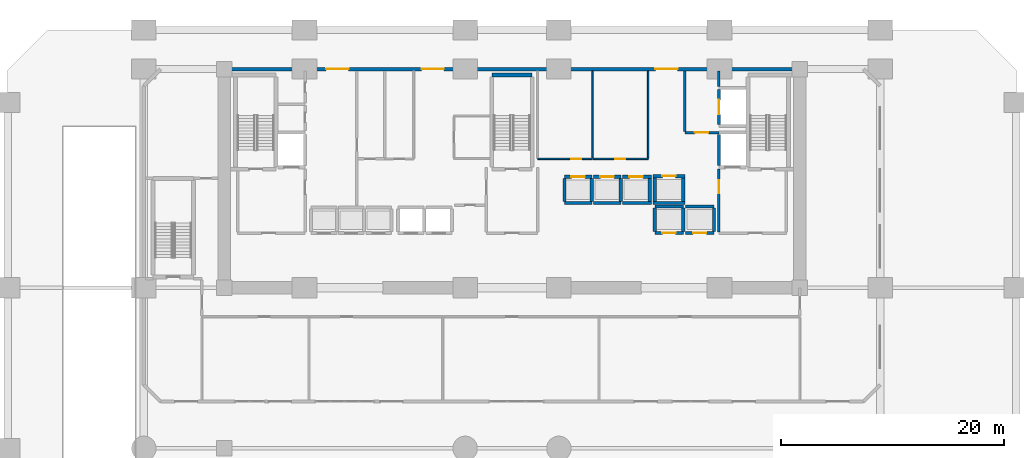
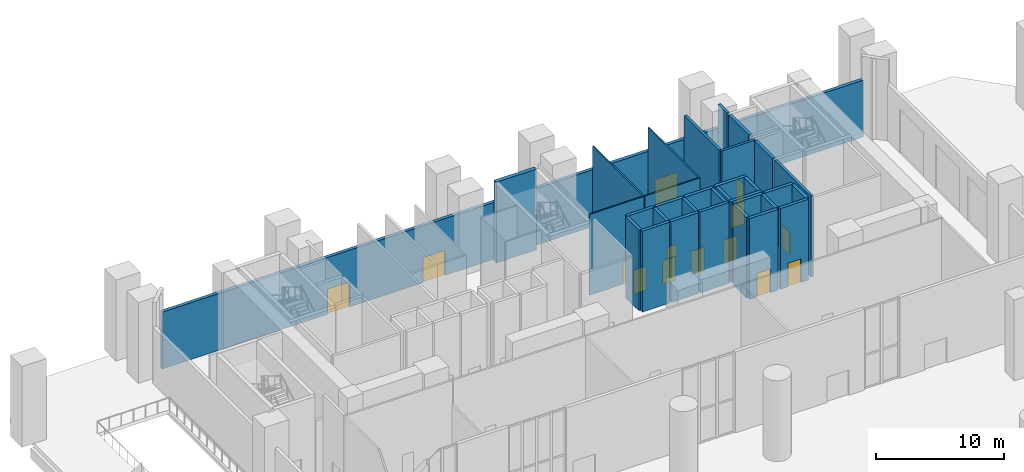
# One storey, part 12 of 17: 33 walls, 14 doors, 14 openings.
"""IFC4 building model written with IfcOpenShell, lengths in metres."""

from ifc_helpers import new_model, si_unit, direction, frame, frame_2d, origin, place, context, subcontext, project, spatial, rectangle, extrude, material, layer, layer_set, type_object, element, fill, save


model = new_model("IFC4")

# Units and contexts
model_context = context("Model", 3, precision=1e-05, world=origin(), true_north=direction((0.0, 1.0)))
body_context = subcontext(model_context, "Body", "Model", "MODEL_VIEW")
ifc_project = project(units=[si_unit("LENGTHUNIT", "METRE"), si_unit("AREAUNIT", "SQUARE_METRE"), si_unit("VOLUMEUNIT", "CUBIC_METRE"), si_unit("PLANEANGLEUNIT", "RADIAN"), si_unit("MASSUNIT", "GRAM", prefix="KILO")], contexts=[model_context])

# Site, building, storey
site_placement = place(None, origin())
site = spatial("IfcSite", under=ifc_project, at=site_placement, CompositionType="ELEMENT")
building_placement = place(site_placement, origin())
building = spatial("IfcBuilding", under=site, at=building_placement, Name="Kaelvorn Grand Hotel", CompositionType="ELEMENT")
storey_placement = place(building_placement, origin())
storey = spatial("IfcBuildingStorey", under=building, at=storey_placement, Name="L00", CompositionType="ELEMENT", Elevation=0.0)

# Wall, openings, doors
ifc_material_1 = material(Name="Concrete C40/50", Category="concrete")
ifc_layer_1 = layer(ifc_material_1, 0.300048828125)
ifc_layer_set_1 = layer_set([ifc_layer_1], Name="Concrete C40/50")
wall_type_1 = type_object("IfcWallType", Name="WL-EXT-300-C40", PredefinedType="SOLIDWALL", material=ifc_layer_set_1)
wall_1_placement = place(storey_placement, frame((73.5, 49.0, 0.0), z_axis=(0.0, 0.0, 1.0), x_axis=(-1.0, 0.0, 0.0)))
wall_1 = element("IfcWall", 1, at=wall_1_placement, inside=storey, type_object=wall_type_1, Name="L00 Ground Arrival Hall Exterior Wall 05", PredefinedType="SOLIDWALL", context=body_context, shape_type="SweptSolid", body=[
    extrude(rectangle(XDim=63.0, YDim=0.300048828125, at=frame_2d((31.5, 0.0))), origin(), (0.0, 0.0, 1.0), 5.39990234375),
])
opening_1_placement = place(wall_1_placement, frame((46.14990234375, 0.0, 0.0)))
opening_1 = element("IfcOpeningElement", 2, at=opening_1_placement, cuts=wall_1, Name="Opening DE1", PredefinedType="OPENING", context=body_context, shape_type="SweptSolid", body=[
    extrude(rectangle(XDim=2.0, YDim=2.39990234375, at=frame_2d((1.0, 1.199951171875))), frame((0.0, 0.16015625, 0.0), z_axis=(0.0, -1.0, 0.0), x_axis=(1.0, 0.0, 0.0)), (0.0, 0.0, 1.0), 0.320068359375),
])
opening_2_placement = place(wall_1_placement, frame((37.60009765625, 0.0, 0.0)))
opening_2 = element("IfcOpeningElement", 3, at=opening_2_placement, cuts=wall_1, Name="Opening DE1", PredefinedType="OPENING", context=body_context, shape_type="SweptSolid", body=[
    extrude(rectangle(XDim=2.0, YDim=2.39990234375, at=frame_2d((1.0, 1.199951171875))), frame((0.0, 0.16015625, 0.0), z_axis=(0.0, -1.0, 0.0), x_axis=(1.0, 0.0, 0.0)), (0.0, 0.0, 1.0), 0.320068359375),
])
opening_3_placement = place(wall_1_placement, frame((16.64990234375, 0.0, 0.0)))
opening_3 = element("IfcOpeningElement", 4, at=opening_3_placement, cuts=wall_1, Name="Opening DE1", PredefinedType="OPENING", context=body_context, shape_type="SweptSolid", body=[
    extrude(rectangle(XDim=2.0, YDim=2.39990234375, at=frame_2d((1.0, 1.199951171875))), frame((0.0, 0.16015625, 0.0), z_axis=(0.0, -1.0, 0.0), x_axis=(1.0, 0.0, 0.0)), (0.0, 0.0, 1.0), 0.320068359375),
])
ifc_material_2 = material(Name="Anodised Aluminium", Category="aluminium")
door_type_1 = type_object("IfcDoorType", Name="DR-EXT-EXIT-2000x2400", OperationType="DOUBLE_DOOR_SINGLE_SWING", PredefinedType="DOOR", material=ifc_material_2)
door_1_placement = place(opening_1_placement, frame((2.0, 0.0, 0.0), z_axis=(0.0, 0.0, 1.0), x_axis=(-1.0, 0.0, 0.0)))
door_1 = element("IfcDoor", 5, at=door_1_placement, inside=storey, type_object=door_type_1, Name="L00 North Plaza Final Exit Double Door DE1-07 (ST1 Discharge)", OperationType="DOUBLE_DOOR_SINGLE_SWING", OverallHeight=2.39990234375, OverallWidth=2.0, PredefinedType="DOOR", context=body_context, shape_type="SweptSolid", body=[
    extrude(rectangle(XDim=2.0, YDim=2.39990234375, at=frame_2d((1.0, 1.199951171875))), frame((0.0, 0.02490234375, 0.0), z_axis=(0.0, -1.0, 0.0), x_axis=(1.0, 0.0, 0.0)), (0.0, 0.0, 1.0), 0.050048828125),
])
fill(opening_1, door_1)
door_2_placement = place(opening_2_placement, frame((2.0, 0.0, 0.0), z_axis=(0.0, 0.0, 1.0), x_axis=(-1.0, 0.0, 0.0)))
door_2 = element("IfcDoor", 6, at=door_2_placement, inside=storey, type_object=door_type_1, Name="L00 North Plaza Final Exit Double Door DE1-08 (ST2 Discharge)", OperationType="DOUBLE_DOOR_SINGLE_SWING", OverallHeight=2.39990234375, OverallWidth=2.0, PredefinedType="DOOR", context=body_context, shape_type="SweptSolid", body=[
    extrude(rectangle(XDim=2.0, YDim=2.39990234375, at=frame_2d((1.0, 1.199951171875))), frame((0.0, 0.02490234375, 0.0), z_axis=(0.0, -1.0, 0.0), x_axis=(1.0, 0.0, 0.0)), (0.0, 0.0, 1.0), 0.050048828125),
])
fill(opening_2, door_2)
door_3_placement = place(opening_3_placement, frame((2.0, 0.0, 0.0), z_axis=(0.0, 0.0, 1.0), x_axis=(-1.0, 0.0, 0.0)))
door_3 = element("IfcDoor", 7, at=door_3_placement, inside=storey, type_object=door_type_1, Name="L00 North Plaza Final Exit Double Door DE1-09 (ST3 Discharge)", OperationType="DOUBLE_DOOR_SINGLE_SWING", OverallHeight=2.39990234375, OverallWidth=2.0, PredefinedType="DOOR", context=body_context, shape_type="SweptSolid", body=[
    extrude(rectangle(XDim=2.0, YDim=2.39990234375, at=frame_2d((1.0, 1.199951171875))), frame((0.0, 0.02490234375, 0.0), z_axis=(0.0, -1.0, 0.0), x_axis=(1.0, 0.0, 0.0)), (0.0, 0.0, 1.0), 0.050048828125),
])
fill(opening_3, door_3)

# Wall, opening, door
ifc_material_3 = material(Name="Moisture-Resistant Tile & Stud Board")
ifc_layer_2 = layer(ifc_material_3, 0.125)
ifc_layer_set_2 = layer_set([ifc_layer_2], Name="Moisture-Resistant Tile & Stud Board")
wall_type_2 = type_object("IfcWallType", Name="WL-PART-125-WET", PredefinedType="PARTITIONING", material=ifc_layer_set_2)
wall_2_placement = place(storey_placement, frame((44.300048828125, 40.949951171875, 0.0), z_axis=(0.0, 0.0, 1.0), x_axis=(1.0, 0.0, 0.0)))
wall_2 = element("IfcWall", 8, at=wall_2_placement, inside=storey, type_object=wall_type_2, Name="L00 Male Toilets S Partition", PredefinedType="PARTITIONING", context=body_context, shape_type="SweptSolid", body=[
    extrude(rectangle(XDim=4.89990234375, YDim=0.125, at=frame_2d((2.449951171875, 0.0))), origin(), (0.0, 0.0, 1.0), 7.679931640625),
])
opening_4_placement = place(wall_2_placement, frame((3.0, 0.0, 0.0)))
opening_4 = element("IfcOpeningElement", 9, at=opening_4_placement, cuts=wall_2, Name="Opening DI4", PredefinedType="OPENING", context=body_context, shape_type="SweptSolid", body=[
    extrude(rectangle(XDim=0.89990234375, YDim=2.10009765625, at=frame_2d((0.449951171875, 1.050048828125))), frame((0.0, 0.072509765625, 0.0), z_axis=(0.0, -1.0, 0.0), x_axis=(1.0, 0.0, 0.0)), (0.0, 0.0, 1.0), 0.14501953125),
])
ifc_material_4 = material(Name="Timber Veneer Leaf", Category="wood")
door_type_2 = type_object("IfcDoorType", Name="DR-INT-BATH-900x2100", OperationType="NOTDEFINED", PredefinedType="DOOR", material=ifc_material_4)
door_4_placement = place(opening_4_placement, origin())
door_4 = element("IfcDoor", 10, at=door_4_placement, inside=storey, type_object=door_type_2, Name="L00 Male Toilets Door", OperationType="SINGLE_SWING_LEFT", OverallHeight=2.10009765625, OverallWidth=0.89990234375, PredefinedType="DOOR", context=body_context, shape_type="SweptSolid", body=[
    extrude(rectangle(XDim=0.89990234375, YDim=2.10009765625, at=frame_2d((0.449951171875, 1.050048828125))), frame((0.0, 0.02490234375, 0.0), z_axis=(0.0, -1.0, 0.0), x_axis=(1.0, 0.0, 0.0)), (0.0, 0.0, 1.0), 0.050048828125),
])
fill(opening_4, door_4)

# Wall
wall_3_placement = place(storey_placement, frame((49.199951171875, 41.017578125, 0.0), z_axis=(0.0, 0.0, 1.0), x_axis=(0.0, 1.0, 0.0)))
element("IfcWall", 11, at=wall_3_placement, inside=storey, type_object=wall_type_2, Name="L00 Male Toilets E Partition", PredefinedType="PARTITIONING", context=body_context, shape_type="SweptSolid", body=[
    extrude(rectangle(XDim=7.827392578125, YDim=0.125, at=frame_2d((3.91357421875, 0.0))), origin(), (0.0, 0.0, 1.0), 7.679931640625),
])

# Wall, opening, door
wall_4_placement = place(storey_placement, frame((49.267578125, 40.949951171875, 0.0), z_axis=(0.0, 0.0, 1.0), x_axis=(1.0, 0.0, 0.0)))
wall_4 = element("IfcWall", 12, at=wall_4_placement, inside=storey, type_object=wall_type_2, Name="L00 Female Toilets S Partition", PredefinedType="PARTITIONING", context=body_context, shape_type="SweptSolid", body=[
    extrude(rectangle(XDim=4.932373046875, YDim=0.125, at=frame_2d((2.46630859375, 0.0))), origin(), (0.0, 0.0, 1.0), 7.679931640625),
])
opening_5_placement = place(wall_4_placement, frame((1.982421875, 0.0, 0.0)))
opening_5 = element("IfcOpeningElement", 13, at=opening_5_placement, cuts=wall_4, Name="Opening DI4", PredefinedType="OPENING", context=body_context, shape_type="SweptSolid", body=[
    extrude(rectangle(XDim=0.89990234375, YDim=2.10009765625, at=frame_2d((0.449951171875, 1.050048828125))), frame((0.0, 0.072509765625, 0.0), z_axis=(0.0, -1.0, 0.0), x_axis=(1.0, 0.0, 0.0)), (0.0, 0.0, 1.0), 0.14501953125),
])
door_5_placement = place(opening_5_placement, origin())
door_5 = element("IfcDoor", 14, at=door_5_placement, inside=storey, type_object=door_type_2, Name="L00 Female Toilets Door", OperationType="SINGLE_SWING_RIGHT", OverallHeight=2.10009765625, OverallWidth=0.89990234375, PredefinedType="DOOR", context=body_context, shape_type="SweptSolid", body=[
    extrude(rectangle(XDim=0.89990234375, YDim=2.10009765625, at=frame_2d((0.449951171875, 1.050048828125))), frame((0.0, 0.02490234375, 0.0), z_axis=(0.0, -1.0, 0.0), x_axis=(1.0, 0.0, 0.0)), (0.0, 0.0, 1.0), 0.050048828125),
])
fill(opening_5, door_5)

# Wall
wall_5_placement = place(storey_placement, frame((54.199951171875, 41.017578125, 0.0), z_axis=(0.0, 0.0, 1.0), x_axis=(0.0, 1.0, 0.0)))
element("IfcWall", 15, at=wall_5_placement, inside=storey, type_object=wall_type_2, Name="L00 Female Toilets E Partition", PredefinedType="PARTITIONING", context=body_context, shape_type="SweptSolid", body=[
    extrude(rectangle(XDim=7.827392578125, YDim=0.125, at=frame_2d((3.91357421875, 0.0))), origin(), (0.0, 0.0, 1.0), 7.679931640625),
])

# Wall, opening, door
ifc_layer_3 = layer(ifc_material_1, 0.219970703125)
ifc_layer_set_3 = layer_set([ifc_layer_3], Name="Concrete C40/50")
wall_type_3 = type_object("IfcWallType", Name="WL-PART-220-EI120", PredefinedType="PARTITIONING", material=ifc_layer_set_3)
wall_6_placement = place(storey_placement, frame((60.550048828125, 34.4150390625, 0.0), z_axis=(0.0, 0.0, 1.0), x_axis=(0.0, 1.0, 0.0)))
wall_6 = element("IfcWall", 16, at=wall_6_placement, inside=storey, type_object=wall_type_3, Name="L00 Firefighting Lift Lobby 2 W Partition", PredefinedType="PARTITIONING", context=body_context, shape_type="SweptSolid", body=[
    extrude(rectangle(XDim=5.639892578125, YDim=0.219970703125, at=frame_2d((2.81982421875, 0.0))), origin(), (0.0, 0.0, 1.0), 7.679931640625),
])
opening_6_placement = place(wall_6_placement, frame((3.43505859375, 0.0, 0.0)))
opening_6 = element("IfcOpeningElement", 17, at=opening_6_placement, cuts=wall_6, Name="Opening DI2", PredefinedType="OPENING", context=body_context, shape_type="SweptSolid", body=[
    extrude(rectangle(XDim=1.199951171875, YDim=2.14990234375, at=frame_2d((0.60009765625, 1.074951171875))), frame((0.0, 0.1201171875, 0.0), z_axis=(0.0, -1.0, 0.0), x_axis=(1.0, 0.0, 0.0)), (0.0, 0.0, 1.0), 0.239990234375),
])
ifc_material_5 = material(Name="Timber Veneer Fire Leaf", Category="wood")
door_type_3 = type_object("IfcDoorType", Name="DR-INT-FFLOB-1200x2150", OperationType="NOTDEFINED", PredefinedType="DOOR", material=ifc_material_5)
door_6_placement = place(opening_6_placement, origin())
door_6 = element("IfcDoor", 18, at=door_6_placement, inside=storey, type_object=door_type_3, Name="L00 Firefighting Lobby 2 Protected Exit Passage Door", OperationType="SINGLE_SWING_RIGHT", OverallHeight=2.14990234375, OverallWidth=1.199951171875, PredefinedType="DOOR", context=body_context, shape_type="SweptSolid", body=[
    extrude(rectangle(XDim=1.199951171875, YDim=2.14990234375, at=frame_2d((0.60009765625, 1.074951171875))), frame((0.0, 0.02490234375, 0.0), z_axis=(0.0, -1.0, 0.0), x_axis=(1.0, 0.0, 0.0)), (0.0, 0.0, 1.0), 0.050048828125),
])
fill(opening_6, door_6)

wall_7_placement = place(storey_placement, frame((57.5, 43.300048828125, 0.0), z_axis=(0.0, 0.0, 1.0), x_axis=(1.0, 0.0, 0.0)))
wall_7 = element("IfcWall", 19, at=wall_7_placement, inside=storey, type_object=wall_type_3, Name="L00 Service Lift Lobby S Partition", PredefinedType="PARTITIONING", context=body_context, shape_type="SweptSolid", body=[
    extrude(rectangle(XDim=3.0400390625, YDim=0.219970703125, at=frame_2d((1.52001953125, 0.0))), origin(), (0.0, 0.0, 1.0), 7.679931640625),
])
opening_7_placement = place(wall_7_placement, frame((0.89990234375, 0.0, 0.0)))
opening_7 = element("IfcOpeningElement", 20, at=opening_7_placement, cuts=wall_7, Name="Opening DI2", PredefinedType="OPENING", context=body_context, shape_type="SweptSolid", body=[
    extrude(rectangle(XDim=1.199951171875, YDim=2.14990234375, at=frame_2d((0.60009765625, 1.074951171875))), frame((0.0, 0.1201171875, 0.0), z_axis=(0.0, -1.0, 0.0), x_axis=(1.0, 0.0, 0.0)), (0.0, 0.0, 1.0), 0.239990234375),
])
door_7_placement = place(opening_7_placement, origin())
door_7 = element("IfcDoor", 21, at=door_7_placement, inside=storey, type_object=door_type_3, Name="L00 Service Lift Lobby Door", OperationType="SINGLE_SWING_RIGHT", OverallHeight=2.14990234375, OverallWidth=1.199951171875, PredefinedType="DOOR", context=body_context, shape_type="SweptSolid", body=[
    extrude(rectangle(XDim=1.199951171875, YDim=2.14990234375, at=frame_2d((0.60009765625, 1.074951171875))), frame((0.0, 0.02490234375, 0.0), z_axis=(0.0, -1.0, 0.0), x_axis=(1.0, 0.0, 0.0)), (0.0, 0.0, 1.0), 0.050048828125),
])
fill(opening_7, door_7)

# Walls
wall_8_placement = place(storey_placement, frame((57.5, 43.4150390625, 0.0), z_axis=(0.0, 0.0, 1.0), x_axis=(0.0, 1.0, 0.0)))
element("IfcWall", 22, at=wall_8_placement, inside=storey, type_object=wall_type_3, Name="L00 Service Lift Lobby W Partition", PredefinedType="PARTITIONING", context=body_context, shape_type="SweptSolid", body=[
    extrude(rectangle(XDim=5.429931640625, YDim=0.219970703125, at=frame_2d((2.71484375, 0.0))), origin(), (0.0, 0.0, 1.0), 7.679931640625),
])
wall_9_placement = place(storey_placement, frame((60.550048828125, 47.445068359375, 0.0), z_axis=(0.0, 0.0, 1.0), x_axis=(0.0, 1.0, 0.0)))
element("IfcWall", 23, at=wall_9_placement, inside=storey, type_object=wall_type_3, Name="L00 Service Lift Lobby E Partition", PredefinedType="PARTITIONING", context=body_context, shape_type="SweptSolid", body=[
    extrude(rectangle(XDim=1.39990234375, YDim=0.219970703125, at=frame_2d((0.699951171875, 0.0))), origin(), (0.0, 0.0, 1.0), 7.679931640625),
])
ifc_material_6 = material(Name="Concrete C50/60", Category="concrete")
ifc_layer_4 = layer(ifc_material_6, 0.280029296875)
ifc_layer_set_4 = layer_set([ifc_layer_4], Name="Concrete C50/60")
wall_type_4 = type_object("IfcWallType", Name="WL-SHAFT-280-C50", PredefinedType="SHEAR", material=ifc_layer_set_4)
wall_10_placement = place(storey_placement, frame((46.699951171875, 37.0, 0.0), z_axis=(0.0, 0.0, 1.0), x_axis=(1.0, 0.0, 0.0)))
element("IfcWall", 24, at=wall_10_placement, inside=storey, type_object=wall_type_4, Name="L00 Lift SL-1 Shaft South Wall", PredefinedType="SHEAR", context=body_context, shape_type="SweptSolid", body=[
    extrude(rectangle(XDim=2.449951171875, YDim=0.280029296875, at=frame_2d((1.22509765625, 0.0))), origin(), (0.0, 0.0, 1.0), 7.679931640625),
])

# Wall, opening, door
wall_11_placement = place(storey_placement, frame((46.699951171875, 39.35009765625, 0.0), z_axis=(0.0, 0.0, 1.0), x_axis=(1.0, 0.0, 0.0)))
wall_11 = element("IfcWall", 25, at=wall_11_placement, inside=storey, type_object=wall_type_4, Name="L00 Lift SL-1 Shaft North Wall", PredefinedType="SHEAR", context=body_context, shape_type="SweptSolid", body=[
    extrude(rectangle(XDim=2.449951171875, YDim=0.280029296875, at=frame_2d((1.22509765625, 0.0))), origin(), (0.0, 0.0, 1.0), 7.679931640625),
])
opening_8_placement = place(wall_11_placement, frame((0.625, 0.0, 0.0)))
opening_8 = element("IfcOpeningElement", 26, at=opening_8_placement, cuts=wall_11, Name="Opening LD-SL-1", PredefinedType="OPENING", context=body_context, shape_type="SweptSolid", body=[
    extrude(rectangle(XDim=1.199951171875, YDim=2.25, at=frame_2d((0.60009765625, 1.125))), frame((0.0, 0.14990234375, 0.0), z_axis=(0.0, -1.0, 0.0), x_axis=(1.0, 0.0, 0.0)), (0.0, 0.0, 1.0), 0.300048828125),
])
ifc_material_7 = material(Name="Stainless Steel", Category="steel")
door_type_4 = type_object("IfcDoorType", Name="DR-LIFT-SHUT-1200x2250", OperationType="DOUBLE_DOOR_SLIDING", PredefinedType="DOOR", material=ifc_material_7)
door_8_placement = place(opening_8_placement, origin())
door_8 = element("IfcDoor", 27, at=door_8_placement, inside=storey, type_object=door_type_4, Name="L00 Lift SL-1 Sliding Landing Door LD-SL-1", OperationType="DOUBLE_DOOR_SLIDING", OverallHeight=2.25, OverallWidth=1.199951171875, PredefinedType="DOOR", context=body_context, shape_type="SweptSolid", body=[
    extrude(rectangle(XDim=1.199951171875, YDim=2.25, at=frame_2d((0.60009765625, 1.125))), frame((0.0, 0.02490234375, 0.0), z_axis=(0.0, -1.0, 0.0), x_axis=(1.0, 0.0, 0.0)), (0.0, 0.0, 1.0), 0.050048828125),
])
fill(opening_8, door_8)

# Walls
for number, where, z_axis, x_axis, name in (
    (28, (46.699951171875, 37.14501953125, 0.0), (0.0, 0.0, 1.0), (0.0, 1.0, 0.0), "L00 Lift SL-1 Shaft West Wall"),
    (29, (49.14990234375, 37.14501953125, 0.0), (0.0, 0.0, 1.0), (0.0, 1.0, 0.0), "L00 Lift SL-1 Shaft East Wall"),
):
    element("IfcWall", number, at=place(storey_placement, frame(where, z_axis=z_axis, x_axis=x_axis)), inside=storey, type_object=wall_type_4, Name=name, PredefinedType="SHEAR", context=body_context, shape_type="SweptSolid", body=[
        extrude(rectangle(XDim=2.06005859375, YDim=0.280029296875, at=frame_2d((1.030029296875, 0.0))), origin(), (0.0, 0.0, 1.0), 7.679931640625),
    ])
wall_12_placement = place(storey_placement, frame((49.300048828125, 37.0, 0.0), z_axis=(0.0, 0.0, 1.0), x_axis=(1.0, 0.0, 0.0)))
element("IfcWall", 30, at=wall_12_placement, inside=storey, type_object=wall_type_4, Name="L00 Lift SL-2 Shaft South Wall", PredefinedType="SHEAR", context=body_context, shape_type="SweptSolid", body=[
    extrude(rectangle(XDim=2.449951171875, YDim=0.280029296875, at=frame_2d((1.22509765625, 0.0))), origin(), (0.0, 0.0, 1.0), 7.679931640625),
])

# Wall, opening, door
wall_13_placement = place(storey_placement, frame((49.300048828125, 39.35009765625, 0.0), z_axis=(0.0, 0.0, 1.0), x_axis=(1.0, 0.0, 0.0)))
wall_13 = element("IfcWall", 31, at=wall_13_placement, inside=storey, type_object=wall_type_4, Name="L00 Lift SL-2 Shaft North Wall", PredefinedType="SHEAR", context=body_context, shape_type="SweptSolid", body=[
    extrude(rectangle(XDim=2.449951171875, YDim=0.280029296875, at=frame_2d((1.22509765625, 0.0))), origin(), (0.0, 0.0, 1.0), 7.679931640625),
])
opening_9_placement = place(wall_13_placement, frame((0.625, 0.0, 0.0)))
opening_9 = element("IfcOpeningElement", 32, at=opening_9_placement, cuts=wall_13, Name="Opening LD-SL-2", PredefinedType="OPENING", context=body_context, shape_type="SweptSolid", body=[
    extrude(rectangle(XDim=1.199951171875, YDim=2.25, at=frame_2d((0.60009765625, 1.125))), frame((0.0, 0.14990234375, 0.0), z_axis=(0.0, -1.0, 0.0), x_axis=(1.0, 0.0, 0.0)), (0.0, 0.0, 1.0), 0.300048828125),
])
door_9_placement = place(opening_9_placement, origin())
door_9 = element("IfcDoor", 33, at=door_9_placement, inside=storey, type_object=door_type_4, Name="L00 Lift SL-2 Sliding Landing Door LD-SL-2", OperationType="DOUBLE_DOOR_SLIDING", OverallHeight=2.25, OverallWidth=1.199951171875, PredefinedType="DOOR", context=body_context, shape_type="SweptSolid", body=[
    extrude(rectangle(XDim=1.199951171875, YDim=2.25, at=frame_2d((0.60009765625, 1.125))), frame((0.0, 0.02490234375, 0.0), z_axis=(0.0, -1.0, 0.0), x_axis=(1.0, 0.0, 0.0)), (0.0, 0.0, 1.0), 0.050048828125),
])
fill(opening_9, door_9)

# Walls
wall_14_placement = place(storey_placement, frame((51.75, 37.14501953125, 0.0), z_axis=(0.0, 0.0, 1.0), x_axis=(0.0, 1.0, 0.0)))
element("IfcWall", 34, at=wall_14_placement, inside=storey, type_object=wall_type_4, Name="L00 Lift SL-2 Shaft East Wall", PredefinedType="SHEAR", context=body_context, shape_type="SweptSolid", body=[
    extrude(rectangle(XDim=2.06005859375, YDim=0.280029296875, at=frame_2d((1.030029296875, 0.0))), origin(), (0.0, 0.0, 1.0), 7.679931640625),
])
wall_15_placement = place(storey_placement, frame((51.89990234375, 37.0, 0.0), z_axis=(0.0, 0.0, 1.0), x_axis=(1.0, 0.0, 0.0)))
element("IfcWall", 35, at=wall_15_placement, inside=storey, type_object=wall_type_4, Name="L00 Lift SL-3 Shaft South Wall", PredefinedType="SHEAR", context=body_context, shape_type="SweptSolid", body=[
    extrude(rectangle(XDim=2.590087890625, YDim=0.280029296875, at=frame_2d((1.294921875, 0.0))), origin(), (0.0, 0.0, 1.0), 7.679931640625),
])

# Wall, opening, door
wall_16_placement = place(storey_placement, frame((51.89990234375, 39.35009765625, 0.0), z_axis=(0.0, 0.0, 1.0), x_axis=(1.0, 0.0, 0.0)))
wall_16 = element("IfcWall", 36, at=wall_16_placement, inside=storey, type_object=wall_type_4, Name="L00 Lift SL-3 Shaft North Wall", PredefinedType="SHEAR", context=body_context, shape_type="SweptSolid", body=[
    extrude(rectangle(XDim=2.590087890625, YDim=0.280029296875, at=frame_2d((1.294921875, 0.0))), origin(), (0.0, 0.0, 1.0), 7.679931640625),
])
opening_10_placement = place(wall_16_placement, frame((0.625, 0.0, 0.0)))
opening_10 = element("IfcOpeningElement", 37, at=opening_10_placement, cuts=wall_16, Name="Opening LD-SL-3", PredefinedType="OPENING", context=body_context, shape_type="SweptSolid", body=[
    extrude(rectangle(XDim=1.199951171875, YDim=2.25, at=frame_2d((0.60009765625, 1.125))), frame((0.0, 0.14990234375, 0.0), z_axis=(0.0, -1.0, 0.0), x_axis=(1.0, 0.0, 0.0)), (0.0, 0.0, 1.0), 0.300048828125),
])
door_10_placement = place(opening_10_placement, origin())
door_10 = element("IfcDoor", 38, at=door_10_placement, inside=storey, type_object=door_type_4, Name="L00 Lift SL-3 Sliding Landing Door LD-SL-3", OperationType="DOUBLE_DOOR_SLIDING", OverallHeight=2.25, OverallWidth=1.199951171875, PredefinedType="DOOR", context=body_context, shape_type="SweptSolid", body=[
    extrude(rectangle(XDim=1.199951171875, YDim=2.25, at=frame_2d((0.60009765625, 1.125))), frame((0.0, 0.02490234375, 0.0), z_axis=(0.0, -1.0, 0.0), x_axis=(1.0, 0.0, 0.0)), (0.0, 0.0, 1.0), 0.050048828125),
])
fill(opening_10, door_10)

# Wall
wall_17_placement = place(storey_placement, frame((54.35009765625, 37.14501953125, 0.0), z_axis=(0.0, 0.0, 1.0), x_axis=(0.0, 1.0, 0.0)))
element("IfcWall", 39, at=wall_17_placement, inside=storey, type_object=wall_type_4, Name="L00 Lift SL-3 Shaft East Wall", PredefinedType="SHEAR", context=body_context, shape_type="SweptSolid", body=[
    extrude(rectangle(XDim=2.06005859375, YDim=0.280029296875, at=frame_2d((1.030029296875, 0.0))), origin(), (0.0, 0.0, 1.0), 7.679931640625),
])

# Wall, opening, door
wall_18_placement = place(storey_placement, frame((54.800048828125, 34.300048828125, 0.0), z_axis=(0.0, 0.0, 1.0), x_axis=(1.0, 0.0, 0.0)))
wall_18 = element("IfcWall", 40, at=wall_18_placement, inside=storey, type_object=wall_type_4, Name="L00 Lift OL-1 Shaft South Wall", PredefinedType="SHEAR", context=body_context, shape_type="SweptSolid", body=[
    extrude(rectangle(XDim=2.550048828125, YDim=0.280029296875, at=frame_2d((1.27490234375, 0.0))), origin(), (0.0, 0.0, 1.0), 7.679931640625),
])
opening_11_placement = place(wall_18_placement, frame((0.675048828125, 0.0, 0.0)))
opening_11 = element("IfcOpeningElement", 41, at=opening_11_placement, cuts=wall_18, Name="Opening LD-OL-1", PredefinedType="OPENING", context=body_context, shape_type="SweptSolid", body=[
    extrude(rectangle(XDim=1.199951171875, YDim=2.25, at=frame_2d((0.60009765625, 1.125))), frame((0.0, 0.14990234375, 0.0), z_axis=(0.0, -1.0, 0.0), x_axis=(1.0, 0.0, 0.0)), (0.0, 0.0, 1.0), 0.300048828125),
])
door_11_placement = place(opening_11_placement, origin())
door_11 = element("IfcDoor", 42, at=door_11_placement, inside=storey, type_object=door_type_4, Name="L00 Lift OL-1 Sliding Landing Door LD-OL-1", OperationType="DOUBLE_DOOR_SLIDING", OverallHeight=2.25, OverallWidth=1.199951171875, PredefinedType="DOOR", context=body_context, shape_type="SweptSolid", body=[
    extrude(rectangle(XDim=1.199951171875, YDim=2.25, at=frame_2d((0.60009765625, 1.125))), frame((0.0, 0.02490234375, 0.0), z_axis=(0.0, -1.0, 0.0), x_axis=(1.0, 0.0, 0.0)), (0.0, 0.0, 1.0), 0.050048828125),
])
fill(opening_11, door_11)

# Walls
wall_19_placement = place(storey_placement, frame((54.800048828125, 36.699951171875, 0.0), z_axis=(0.0, 0.0, 1.0), x_axis=(1.0, 0.0, 0.0)))
element("IfcWall", 43, at=wall_19_placement, inside=storey, type_object=wall_type_4, Name="L00 Lift OL-1 Shaft North Wall", PredefinedType="SHEAR", context=body_context, shape_type="SweptSolid", body=[
    extrude(rectangle(XDim=2.550048828125, YDim=0.280029296875, at=frame_2d((1.27490234375, 0.0))), origin(), (0.0, 0.0, 1.0), 7.679931640625),
])
for number, where, z_axis, x_axis, name in (
    (44, (54.800048828125, 34.445068359375, 0.0), (0.0, 0.0, 1.0), (0.0, 1.0, 0.0), "L00 Lift OL-1 Shaft West Wall"),
    (45, (57.35009765625, 34.445068359375, 0.0), (0.0, 0.0, 1.0), (0.0, 1.0, 0.0), "L00 Lift OL-1 Shaft East Wall"),
):
    element("IfcWall", number, at=place(storey_placement, frame(where, z_axis=z_axis, x_axis=x_axis)), inside=storey, type_object=wall_type_4, Name=name, PredefinedType="SHEAR", context=body_context, shape_type="SweptSolid", body=[
        extrude(rectangle(XDim=2.10986328125, YDim=0.280029296875, at=frame_2d((1.054931640625, 0.0))), origin(), (0.0, 0.0, 1.0), 7.679931640625),
    ])

# Wall, opening, door
wall_20_placement = place(storey_placement, frame((57.550048828125, 34.300048828125, 0.0), z_axis=(0.0, 0.0, 1.0), x_axis=(1.0, 0.0, 0.0)))
wall_20 = element("IfcWall", 46, at=wall_20_placement, inside=storey, type_object=wall_type_4, Name="L00 Lift OL-2 Shaft South Wall", PredefinedType="SHEAR", context=body_context, shape_type="SweptSolid", body=[
    extrude(rectangle(XDim=2.550048828125, YDim=0.280029296875, at=frame_2d((1.27490234375, 0.0))), origin(), (0.0, 0.0, 1.0), 7.679931640625),
])
opening_12_placement = place(wall_20_placement, frame((0.675048828125, 0.0, 0.0)))
opening_12 = element("IfcOpeningElement", 47, at=opening_12_placement, cuts=wall_20, Name="Opening LD-OL-2", PredefinedType="OPENING", context=body_context, shape_type="SweptSolid", body=[
    extrude(rectangle(XDim=1.199951171875, YDim=2.25, at=frame_2d((0.60009765625, 1.125))), frame((0.0, 0.14990234375, 0.0), z_axis=(0.0, -1.0, 0.0), x_axis=(1.0, 0.0, 0.0)), (0.0, 0.0, 1.0), 0.300048828125),
])
door_12_placement = place(opening_12_placement, origin())
door_12 = element("IfcDoor", 48, at=door_12_placement, inside=storey, type_object=door_type_4, Name="L00 Lift OL-2 Sliding Landing Door LD-OL-2", OperationType="DOUBLE_DOOR_SLIDING", OverallHeight=2.25, OverallWidth=1.199951171875, PredefinedType="DOOR", context=body_context, shape_type="SweptSolid", body=[
    extrude(rectangle(XDim=1.199951171875, YDim=2.25, at=frame_2d((0.60009765625, 1.125))), frame((0.0, 0.02490234375, 0.0), z_axis=(0.0, -1.0, 0.0), x_axis=(1.0, 0.0, 0.0)), (0.0, 0.0, 1.0), 0.050048828125),
])
fill(opening_12, door_12)

# Walls
wall_21_placement = place(storey_placement, frame((57.550048828125, 36.699951171875, 0.0), z_axis=(0.0, 0.0, 1.0), x_axis=(1.0, 0.0, 0.0)))
element("IfcWall", 49, at=wall_21_placement, inside=storey, type_object=wall_type_4, Name="L00 Lift OL-2 Shaft North Wall", PredefinedType="SHEAR", context=body_context, shape_type="SweptSolid", body=[
    extrude(rectangle(XDim=2.550048828125, YDim=0.280029296875, at=frame_2d((1.27490234375, 0.0))), origin(), (0.0, 0.0, 1.0), 7.679931640625),
])
wall_22_placement = place(storey_placement, frame((60.10009765625, 34.445068359375, 0.0), z_axis=(0.0, 0.0, 1.0), x_axis=(0.0, 1.0, 0.0)))
element("IfcWall", 50, at=wall_22_placement, inside=storey, type_object=wall_type_4, Name="L00 Lift OL-2 Shaft East Wall", PredefinedType="SHEAR", context=body_context, shape_type="SweptSolid", body=[
    extrude(rectangle(XDim=2.10986328125, YDim=0.280029296875, at=frame_2d((1.054931640625, 0.0))), origin(), (0.0, 0.0, 1.0), 7.679931640625),
])
wall_23_placement = place(storey_placement, frame((54.659912109375, 37.0, 0.0), z_axis=(0.0, 0.0, 1.0), x_axis=(1.0, 0.0, 0.0)))
element("IfcWall", 51, at=wall_23_placement, inside=storey, type_object=wall_type_4, Name="L00 Lift OL-3 Shaft South Wall", PredefinedType="SHEAR", context=body_context, shape_type="SweptSolid", body=[
    extrude(rectangle(XDim=2.830078125, YDim=0.280029296875, at=frame_2d((1.4150390625, 0.0))), origin(), (0.0, 0.0, 1.0), 7.679931640625),
])

# Wall, opening, door
wall_24_placement = place(storey_placement, frame((54.659912109375, 39.39990234375, 0.0), z_axis=(0.0, 0.0, 1.0), x_axis=(1.0, 0.0, 0.0)))
wall_24 = element("IfcWall", 52, at=wall_24_placement, inside=storey, type_object=wall_type_4, Name="L00 Lift OL-3 Shaft North Wall", PredefinedType="SHEAR", context=body_context, shape_type="SweptSolid", body=[
    extrude(rectangle(XDim=2.830078125, YDim=0.280029296875, at=frame_2d((1.4150390625, 0.0))), origin(), (0.0, 0.0, 1.0), 7.679931640625),
])
opening_13_placement = place(wall_24_placement, frame((0.81494140625, 0.0, 0.0)))
opening_13 = element("IfcOpeningElement", 53, at=opening_13_placement, cuts=wall_24, Name="Opening LD-OL-3", PredefinedType="OPENING", context=body_context, shape_type="SweptSolid", body=[
    extrude(rectangle(XDim=1.199951171875, YDim=2.25, at=frame_2d((0.60009765625, 1.125))), frame((0.0, 0.14990234375, 0.0), z_axis=(0.0, -1.0, 0.0), x_axis=(1.0, 0.0, 0.0)), (0.0, 0.0, 1.0), 0.300048828125),
])
door_13_placement = place(opening_13_placement, origin())
door_13 = element("IfcDoor", 54, at=door_13_placement, inside=storey, type_object=door_type_4, Name="L00 Lift OL-3 Sliding Landing Door LD-OL-3", OperationType="DOUBLE_DOOR_SLIDING", OverallHeight=2.25, OverallWidth=1.199951171875, PredefinedType="DOOR", context=body_context, shape_type="SweptSolid", body=[
    extrude(rectangle(XDim=1.199951171875, YDim=2.25, at=frame_2d((0.60009765625, 1.125))), frame((0.0, 0.02490234375, 0.0), z_axis=(0.0, -1.0, 0.0), x_axis=(1.0, 0.0, 0.0)), (0.0, 0.0, 1.0), 0.050048828125),
])
fill(opening_13, door_13)

# Walls
for number, where, z_axis, x_axis, name in (
    (55, (54.800048828125, 37.14501953125, 0.0), (0.0, 0.0, 1.0), (0.0, 1.0, 0.0), "L00 Lift OL-3 Shaft West Wall"),
    (56, (57.35009765625, 37.14501953125, 0.0), (0.0, 0.0, 1.0), (0.0, 1.0, 0.0), "L00 Lift OL-3 Shaft East Wall"),
):
    element("IfcWall", number, at=place(storey_placement, frame(where, z_axis=z_axis, x_axis=x_axis)), inside=storey, type_object=wall_type_4, Name=name, PredefinedType="SHEAR", context=body_context, shape_type="SweptSolid", body=[
        extrude(rectangle(XDim=2.10986328125, YDim=0.280029296875, at=frame_2d((1.054931640625, 0.0))), origin(), (0.0, 0.0, 1.0), 7.679931640625),
    ])
wall_25_placement = place(storey_placement, frame((60.550048828125, 40.344970703125, 0.0), z_axis=(0.0, 0.0, 1.0), x_axis=(0.0, 1.0, 0.0)))
element("IfcWall", 57, at=wall_25_placement, inside=storey, type_object=wall_type_4, Name="L00 Lift FFL2 Shaft West Wall", PredefinedType="SHEAR", context=body_context, shape_type="SweptSolid", body=[
    extrude(rectangle(XDim=2.81005859375, YDim=0.280029296875, at=frame_2d((1.405029296875, 0.0))), origin(), (0.0, 0.0, 1.0), 7.679931640625),
])

# Wall, opening, door
wall_26_placement = place(storey_placement, frame((60.550048828125, 44.044921875, 0.0), z_axis=(0.0, 0.0, 1.0), x_axis=(0.0, 1.0, 0.0)))
wall_26 = element("IfcWall", 58, at=wall_26_placement, inside=storey, type_object=wall_type_4, Name="L00 Lift SV1 Shaft West Wall", PredefinedType="SHEAR", context=body_context, shape_type="SweptSolid", body=[
    extrude(rectangle(XDim=3.110107421875, YDim=0.280029296875, at=frame_2d((1.55517578125, 0.0))), origin(), (0.0, 0.0, 1.0), 7.679931640625),
])
opening_14_placement = place(wall_26_placement, frame((0.905029296875, 0.0, 0.0)))
opening_14 = element("IfcOpeningElement", 59, at=opening_14_placement, cuts=wall_26, Name="Opening LD-SV1", PredefinedType="OPENING", context=body_context, shape_type="SweptSolid", body=[
    extrude(rectangle(XDim=1.300048828125, YDim=2.300048828125, at=frame_2d((0.64990234375, 1.14990234375))), frame((0.0, 0.14990234375, 0.0), z_axis=(0.0, -1.0, 0.0), x_axis=(1.0, 0.0, 0.0)), (0.0, 0.0, 1.0), 0.300048828125),
])
door_type_5 = type_object("IfcDoorType", Name="DR-LIFT-SERV-1300x2300", OperationType="DOUBLE_DOOR_SLIDING", PredefinedType="DOOR", material=ifc_material_7)
door_14_placement = place(opening_14_placement, origin())
door_14 = element("IfcDoor", 60, at=door_14_placement, inside=storey, type_object=door_type_5, Name="L00 Lift SV1 Sliding Landing Door LD-SV1", OperationType="DOUBLE_DOOR_SLIDING", OverallHeight=2.300048828125, OverallWidth=1.300048828125, PredefinedType="DOOR", context=body_context, shape_type="SweptSolid", body=[
    extrude(rectangle(XDim=1.300048828125, YDim=2.300048828125, at=frame_2d((0.64990234375, 1.14990234375))), frame((0.0, 0.02490234375, 0.0), z_axis=(0.0, -1.0, 0.0), x_axis=(1.0, 0.0, 0.0)), (0.0, 0.0, 1.0), 0.050048828125),
])
fill(opening_14, door_14)

# Wall
ifc_material_8 = material(Name="Concrete C60/75", Category="concrete")
ifc_layer_5 = layer(ifc_material_8, 0.35009765625)
ifc_layer_set_5 = layer_set([ifc_layer_5], Name="Concrete C60/75")
wall_type_5 = type_object("IfcWallType", Name="WL-SHAFT-350-C60", PredefinedType="SHEAR", material=ifc_layer_set_5)
wall_27_placement = place(storey_placement, frame((40.18505859375, 48.47509765625, 0.0), z_axis=(0.0, 0.0, 1.0), x_axis=(1.0, 0.0, 0.0)))
element("IfcWall", 61, at=wall_27_placement, inside=storey, type_object=wall_type_5, Name="L00 ST2 Stair Shaft North Wall", PredefinedType="SHEAR", context=body_context, shape_type="SweptSolid", body=[
    extrude(rectangle(XDim=3.6298828125, YDim=0.35009765625, at=frame_2d((1.81494140625, 0.0))), origin(), (0.0, 0.0, 1.0), 7.679931640625),
])

save(model, "model.ifc")
